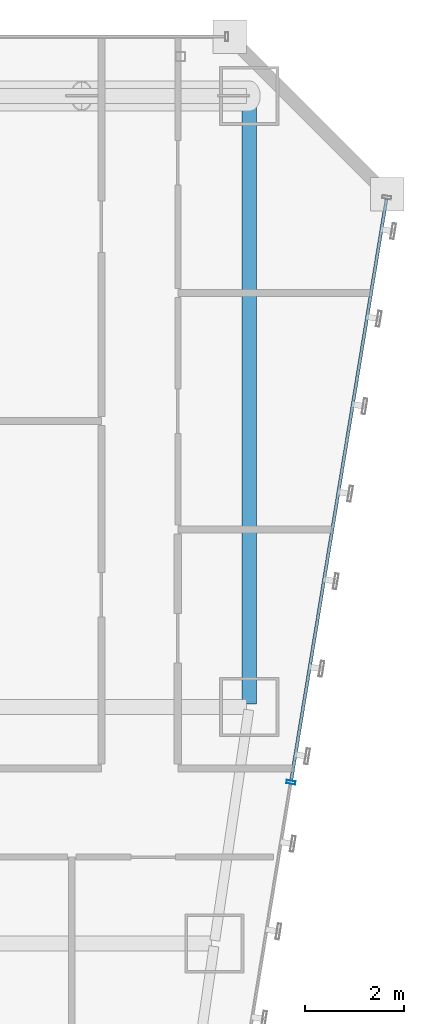
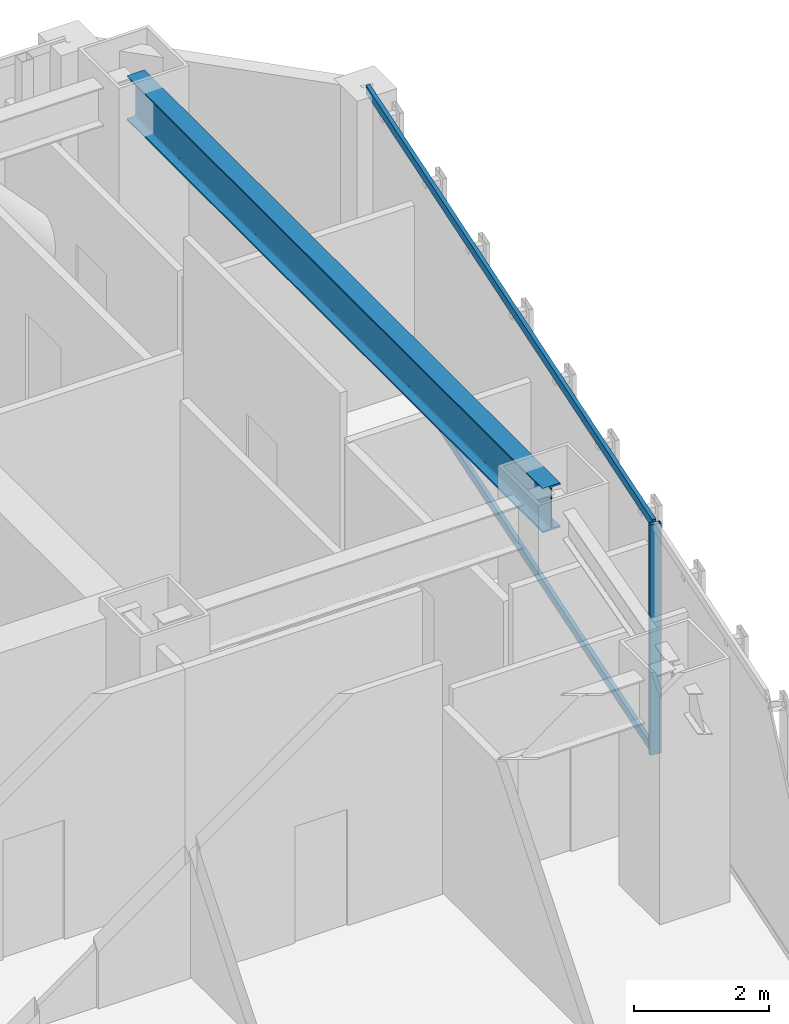
# One storey, part 31 of 47: 3 members, 1 beam, 1 element without a shape of its own.
"""IFC4 building model written with IfcOpenShell, lengths in metres."""

from ifc_helpers import new_model, si_unit, direction, frame, origin, origin_2d, place, context, subcontext, project, spatial, hollow_rectangle, i_section, extrude, material, material_profile, profile_set, type_object, element, aggregate, save


model = new_model("IFC4")

# Units and contexts
model_context = context("Model", 3, precision=1e-05, world=origin(), true_north=direction((0.0, 1.0)))
body_context = subcontext(model_context, "Body", "Model", "MODEL_VIEW")
ifc_project = project(units=[si_unit("LENGTHUNIT", "METRE"), si_unit("AREAUNIT", "SQUARE_METRE"), si_unit("VOLUMEUNIT", "CUBIC_METRE"), si_unit("PLANEANGLEUNIT", "RADIAN"), si_unit("MASSUNIT", "GRAM", prefix="KILO")], contexts=[model_context])

# Site, building, storey
site_placement = place(None, origin())
site = spatial("IfcSite", under=ifc_project, at=site_placement, CompositionType="ELEMENT")
building_placement = place(site_placement, origin())
building = spatial("IfcBuilding", under=site, at=building_placement, Name="Saevonmaru Cultural Tower", CompositionType="ELEMENT")
storey_placement = place(building_placement, frame((0.0, 0.0, 56.0)))
storey = spatial("IfcBuildingStorey", under=building, at=storey_placement, Name="L11", CompositionType="ELEMENT", Elevation=56.0)

# Beam
ifc_material_1 = material(Name="Steel SM420", Category="steel")
ifc_material_profile_1 = material_profile(ifc_material_1, i_section(OverallWidth=0.300048828125, OverallDepth=0.800048828125, WebThickness=0.013916015625, FlangeThickness=0.02587890625, FilletRadius=0.028076171875, at=origin_2d()), Name="H-800x300x14x26")
ifc_profile_set_1 = profile_set([ifc_material_profile_1], Name="Steel SM420")
beam_type = type_object("IfcBeamType", Name="BM-G-H800", PredefinedType="BEAM", material=ifc_profile_set_1)
beam_placement = place(storey_placement, frame((53.199951171875, 54.739990234375, 3.75), z_axis=(0.0, -1.0, 0.0), x_axis=(1.0, 0.0, 0.0)))
element("IfcBeam", 1, at=beam_placement, inside=storey, type_object=beam_type, Name="L11 Spine Transverse Girder E", PredefinedType="BEAM", context=body_context, shape_type="SweptSolid", body=[
    extrude(i_section(OverallWidth=0.300048828125, OverallDepth=0.800048828125, WebThickness=0.013916015625, FlangeThickness=0.02587890625, FilletRadius=0.028076171875, at=origin_2d()), origin(), (0.0, 0.0, 1.0), 12.280029296875),
])

# Curtain wall, members
ifc_material_2 = material(Name="Satin Bronze Anodised Aluminium", Category="aluminium")
curtain_wall_type = type_object("IfcCurtainWallType", Name="CW-TYP-A", PredefinedType="NOTDEFINED", material=ifc_material_2)
curtain_wall_placement = place(storey_placement, origin())
curtain_wall = element("IfcCurtainWall", 2, at=curtain_wall_placement, inside=storey, type_object=curtain_wall_type, Name="L11 Unitised Curtain Wall E8", PredefinedType="NOTDEFINED")
ifc_material_profile_2 = material_profile(ifc_material_2, hollow_rectangle(XDim=0.06494140625, YDim=0.179931640625, WallThickness=0.00390625, at=origin_2d()), Name="ALU-MULL-180x65x4")
ifc_profile_set_2 = profile_set([ifc_material_profile_2], Name="Satin Bronze Anodised Aluminium")
member_type_1 = type_object("IfcMemberType", Name="ML-CW-180x65", PredefinedType="MULLION", material=ifc_profile_set_2)
member_1_placement = place(storey_placement, frame((54.045166015625, 40.870361328125, 0.0), z_axis=(0.0, 0.0, 1.0), x_axis=(0.161708868641, 0.986838508472, 0.0)))
member_1 = element("IfcMember", 3, at=member_1_placement, type_object=member_type_1, Name="CW-TW-L11-E8 mullion 4", PredefinedType="MULLION", context=body_context, shape_type="SweptSolid", body=[
    extrude(hollow_rectangle(XDim=0.06494140625, YDim=0.179931640625, WallThickness=0.00390625, at=origin_2d()), origin(), (0.0, 0.0, 1.0), 4.14990234375),
])
ifc_material_profile_3 = material_profile(ifc_material_2, hollow_rectangle(XDim=0.06494140625, YDim=0.14990234375, WallThickness=0.00390625, at=origin_2d()), Name="ALU-TRAN-150x65x4")
ifc_profile_set_3 = profile_set([ifc_material_profile_3], Name="Satin Bronze Anodised Aluminium")
member_type_2 = type_object("IfcMemberType", Name="TR-CW-150x65", PredefinedType="USERDEFINED", material=ifc_profile_set_3)
member_2_placement = place(storey_placement, frame((54.05029296875, 40.902587890625, 0.032470703125), z_axis=(0.161724530373, 0.986835941925, 0.0), x_axis=(-0.986835941925, 0.161724530373, 0.0)))
member_2 = element("IfcMember", 4, at=member_2_placement, type_object=member_type_2, Name="CW-TW-L11-E8 transom 4.1", ObjectType="TRANSOM", PredefinedType="USERDEFINED", context=body_context, shape_type="SweptSolid", body=[
    extrude(hollow_rectangle(XDim=0.06494140625, YDim=0.14990234375, WallThickness=0.00390625, at=origin_2d()), origin(), (0.0, 0.0, 1.0), 11.963623046875),
])
member_3_placement = place(storey_placement, frame((54.05029296875, 40.902587890625, 4.117431640625), z_axis=(0.161724530373, 0.986835941925, 0.0), x_axis=(-0.986835941925, 0.161724530373, 0.0)))
member_3 = element("IfcMember", 5, at=member_3_placement, type_object=member_type_2, Name="CW-TW-L11-E8 transom 4.2", ObjectType="TRANSOM", PredefinedType="USERDEFINED", context=body_context, shape_type="SweptSolid", body=[
    extrude(hollow_rectangle(XDim=0.06494140625, YDim=0.14990234375, WallThickness=0.00390625, at=origin_2d()), origin(), (0.0, 0.0, 1.0), 11.963623046875),
])
aggregate(curtain_wall, [member_1, member_2, member_3])

save(model, "model.ifc")
